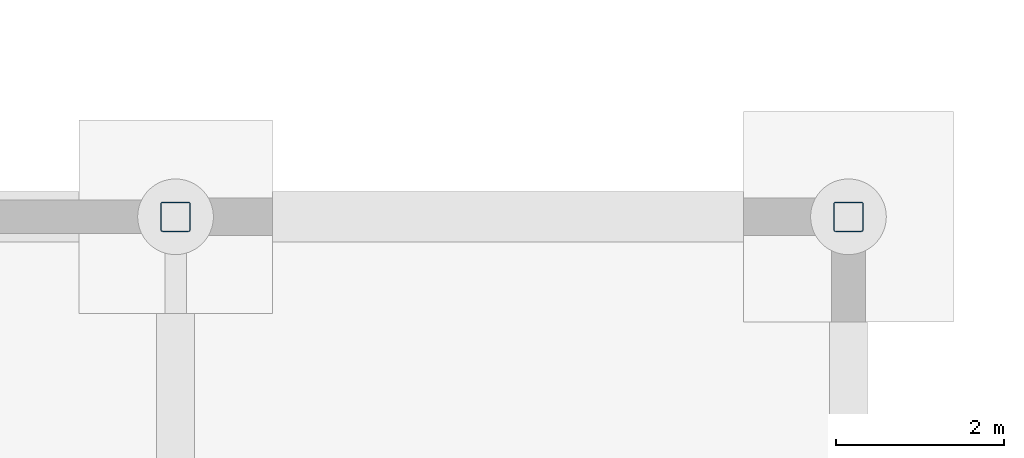
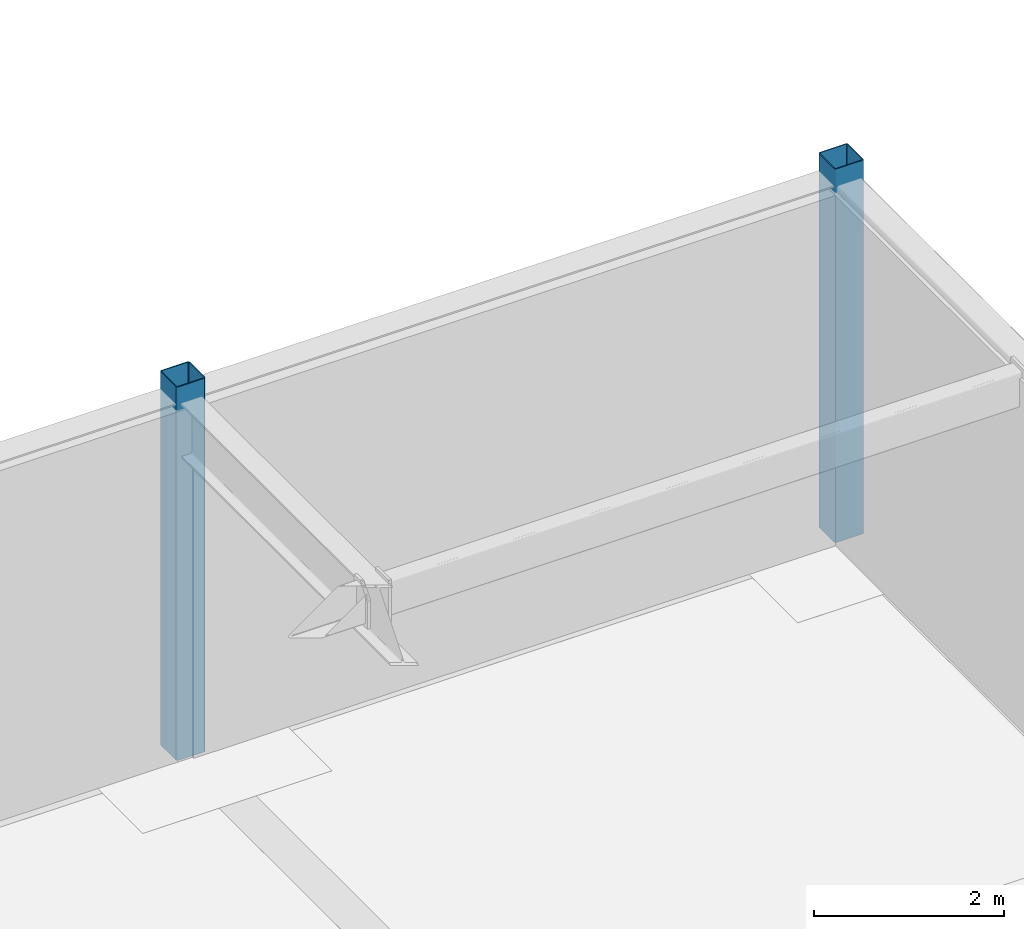
# One storey, part 39 of 105: 2 columns.
"""IFC4 building model written with IfcOpenShell, lengths in metres."""

from ifc_helpers import new_model, si_unit, direction, frame, origin, origin_2d, place, context, subcontext, project, spatial, hollow_rectangle, extrude, material, material_profile, profile_set, type_object, element, save


model = new_model("IFC4")

# Units and contexts
model_context = context("Model", 3, precision=1e-05, world=origin(), true_north=direction((0.0, 1.0)))
body_context = subcontext(model_context, "Body", "Model", "MODEL_VIEW")
ifc_project = project(units=[si_unit("LENGTHUNIT", "METRE"), si_unit("AREAUNIT", "SQUARE_METRE"), si_unit("VOLUMEUNIT", "CUBIC_METRE"), si_unit("PLANEANGLEUNIT", "RADIAN"), si_unit("MASSUNIT", "GRAM", prefix="KILO")], contexts=[model_context])

# Site, building, storey
site_placement = place(None, origin())
site = spatial("IfcSite", under=ifc_project, at=site_placement, CompositionType="ELEMENT")
building_placement = place(site_placement, origin())
building = spatial("IfcBuilding", under=site, at=building_placement, Name="Solmirada Galleria", CompositionType="ELEMENT")
storey_placement = place(building_placement, frame((0.0, 0.0, -4.800048828125)))
storey = spatial("IfcBuildingStorey", under=building, at=storey_placement, Name="B1", CompositionType="ELEMENT", Elevation=-4.800048828125)

# Columns
ifc_material = material(Name="Steel S355 / ASTM A500 Grade C", Category="steel")
ifc_material_profile = material_profile(ifc_material, hollow_rectangle(XDim=0.35595703125, YDim=0.35595703125, WallThickness=0.01171875, InnerFilletRadius=0.01171875, OuterFilletRadius=0.023681640625, at=origin_2d()), Name="HSS14X14X1/2")
ifc_profile_set = profile_set([ifc_material_profile], Name="Steel S355 / ASTM A500 Grade C")
column_type = type_object("IfcColumnType", Name="COL-HSS14", PredefinedType="COLUMN", material=ifc_profile_set)
for number, where, z_axis, x_axis, name in (
    (1, (168.0, 32.0, 0.0), (0.0, 0.0, 1.0), (1.0, 0.0, 0.0), "Structural column B1-1453"),
    (2, (176.0, 32.0, 0.0), (0.0, 0.0, 1.0), (1.0, 0.0, 0.0), "Structural column B1-1526"),
):
    element("IfcColumn", number, at=place(storey_placement, frame(where, z_axis=z_axis, x_axis=x_axis)), inside=storey, type_object=column_type, Name=name, PredefinedType="COLUMN", context=body_context, shape_type="SweptSolid", body=[
        extrude(hollow_rectangle(XDim=0.35595703125, YDim=0.35595703125, WallThickness=0.01171875, InnerFilletRadius=0.01171875, OuterFilletRadius=0.023681640625, at=origin_2d()), origin(), (0.0, 0.0, 1.0), 4.800048828125),
    ])

save(model, "model.ifc")
